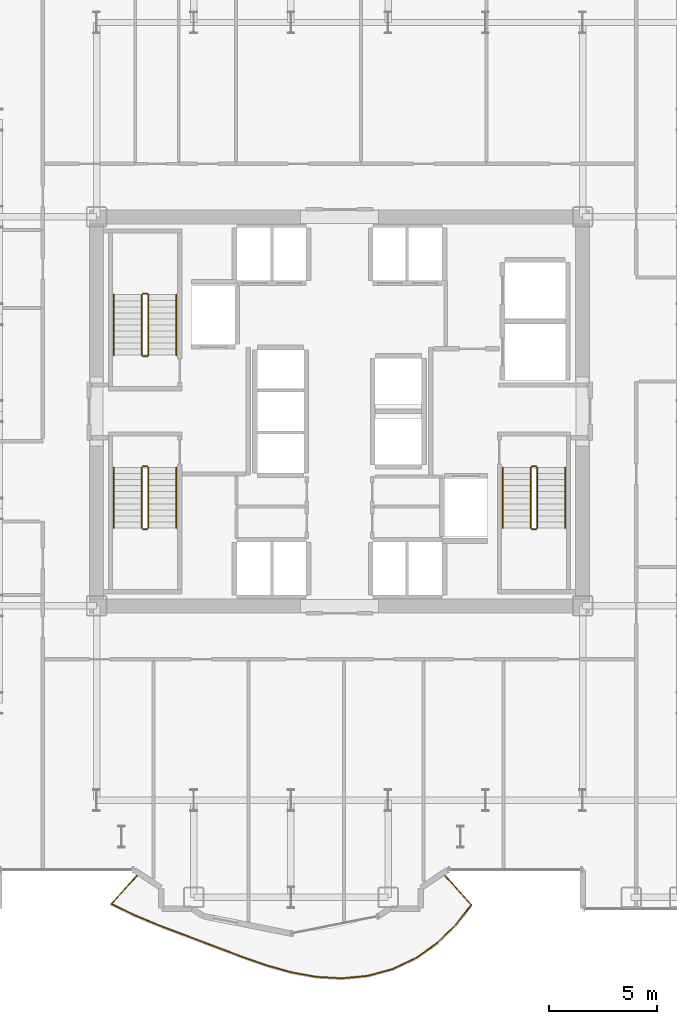
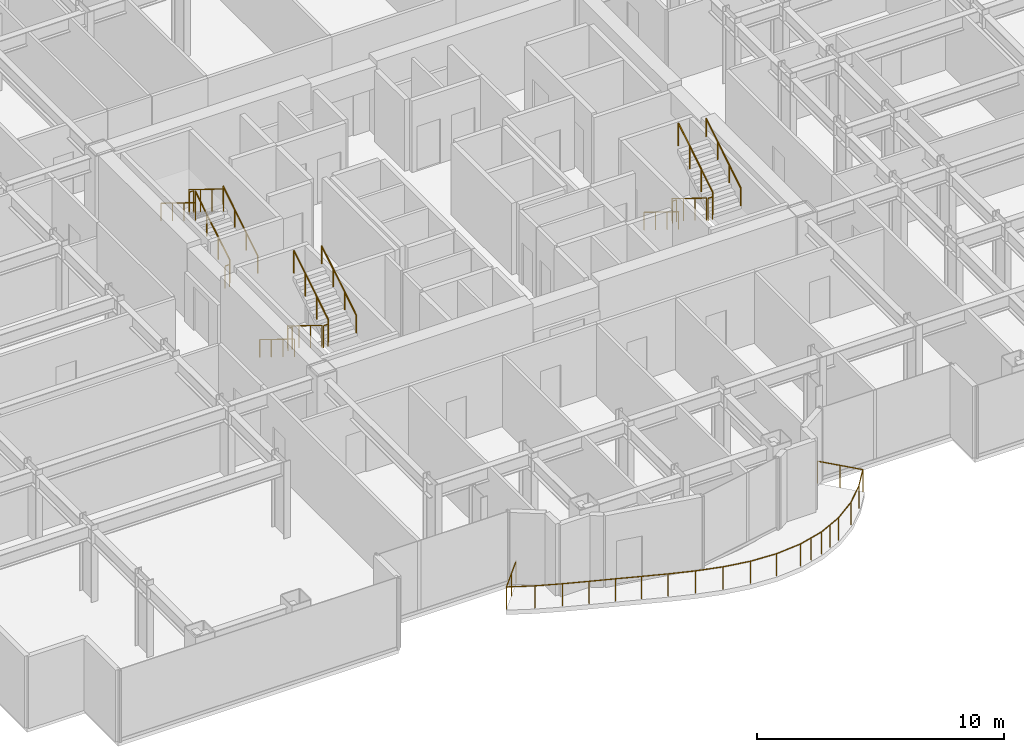
# One storey, part 28 of 29: 19 railings.
"""IFC4 building model written with IfcOpenShell, lengths in metres."""

import ifcopenshell
import ifcopenshell.guid

model = None  # the IFC model being written
_history = None  # IfcOwnerHistory: only IFC2X3 demands one
_inside = {}  # id of a spatial element -> (the spatial element, [elements in it])
_under = {}  # id of a project, library or spatial element -> (it, [spatial elements below it])
_declared = {}  # id of a project -> (the project, [libraries it declares])
_typed = {}  # id of a type object -> (the type object, [elements of that type])
_made_of = {}  # id of a material, layer set ... -> (it, [elements and type objects made of it])


def new_model(schema):
    """Start an empty IFC model of exactly this schema.

    Asked for "IFC4X3", IfcOpenShell would pick the latest addendum, in which some entities
    have other attributes; the version numbers below select the first issue.
    IFC2X3 requires an IfcOwnerHistory on every rooted entity: one is made here for all.
    """
    global model, _history
    if schema == "IFC4X3":
        model = ifcopenshell.file(schema_version=(4, 3, 0, 0))
    else:
        model = ifcopenshell.file(schema=schema)
    _inside.clear()
    _under.clear()
    _declared.clear()
    _typed.clear()
    _made_of.clear()
    _history = None
    if model.schema == "IFC2X3":
        org = make("IfcOrganization", Name="unknown")
        user = make(
            "IfcPersonAndOrganization",
            ThePerson=make("IfcPerson", FamilyName="unknown"),
            TheOrganization=org,
        )
        app = make(
            "IfcApplication",
            ApplicationDeveloper=org,
            Version="unknown",
            ApplicationFullName="unknown",
            ApplicationIdentifier="unknown",
        )
        _history = make(
            "IfcOwnerHistory",
            OwningUser=user,
            OwningApplication=app,
            ChangeAction="ADDED",
            CreationDate=0,
        )
    return model


def make(cls, **values):
    """One entity of the class cls with the attributes given. An attribute that is None is left unset."""
    return model.create_entity(
        cls, **{name: value for name, value in values.items() if value is not None}
    )


def rooted(cls, **values):
    """An entity with a GlobalId (a new one), such as an element, a storey or a relation."""
    return make(cls, GlobalId=ifcopenshell.guid.new(), OwnerHistory=_history, **values)


def si_unit(unit_type, name, prefix=None):
    """IfcSIUnit, for example si_unit("LENGTHUNIT", "METRE", prefix="MILLI")."""
    return make("IfcSIUnit", UnitType=unit_type, Prefix=prefix, Name=name)


def assignment(units):
    """IfcUnitAssignment: the units of a project."""
    return None if units is None else make("IfcUnitAssignment", Units=units)


def point(xyz):
    """IfcCartesianPoint."""
    return None if xyz is None else make("IfcCartesianPoint", Coordinates=xyz)


def direction(xyz):
    """IfcDirection."""
    return None if xyz is None else make("IfcDirection", DirectionRatios=xyz)


def frame(location, z_axis=None, x_axis=None):
    """IfcAxis2Placement3D, a coordinate frame: its origin and axes. An axis left out is left unset."""
    return make(
        "IfcAxis2Placement3D",
        Location=point(location),
        Axis=direction(z_axis),
        RefDirection=direction(x_axis),
    )


def frame_2d(location, x_axis=None):
    """IfcAxis2Placement2D, a coordinate frame in the plane: its origin and x axis."""
    return make(
        "IfcAxis2Placement2D", Location=point(location), RefDirection=direction(x_axis)
    )


def origin():
    """The frame at (0, 0, 0) with its axes left unset."""
    return frame((0.0, 0.0, 0.0))


def origin_2d():
    """The frame at (0, 0) in the plane with its x axis left unset."""
    return frame_2d((0.0, 0.0))


def place(relative_to, where):
    """IfcLocalPlacement: puts the frame where relative to a parent placement (None: the world)."""
    return make(
        "IfcLocalPlacement", PlacementRelTo=relative_to, RelativePlacement=where
    )


def context(
    kind, dimensions, precision=None, world=None, true_north=None, identifier=None
):
    """IfcGeometricRepresentationContext, for example the 3D "Model" context."""
    return make(
        "IfcGeometricRepresentationContext",
        ContextIdentifier=identifier,
        ContextType=kind,
        CoordinateSpaceDimension=dimensions,
        Precision=precision,
        WorldCoordinateSystem=world,
        TrueNorth=true_north,
    )


def subcontext(parent, identifier, kind, view, scale=None):
    """IfcGeometricRepresentationSubContext, for example "Body" below "Model"."""
    return make(
        "IfcGeometricRepresentationSubContext",
        ContextIdentifier=identifier,
        ContextType=kind,
        ParentContext=parent,
        TargetScale=scale,
        TargetView=view,
    )


def project(units=None, contexts=None):
    """IfcProject with its units and contexts."""
    return rooted(
        "IfcProject",
        Name="project",
        RepresentationContexts=contexts,
        UnitsInContext=assignment(units),
    )


def spatial(cls, under=None, at=None, **own):
    """A site, building, storey or space (cls), placed at a placement, below another one or the project."""
    s = rooted(cls, ObjectPlacement=at, **own)
    if under is not None:
        _under.setdefault(under.id(), (under, []))[1].append(s)
    return s


def profile(cls, at=None, kind="AREA", **sizes):
    """A parametric profile (cls). Its sizes go by their IFC names, for example OverallWidth=200.0."""
    return make(cls, ProfileType=kind, Position=at, **sizes)


def circle(**sizes):
    """IfcCircleProfileDef."""
    return profile("IfcCircleProfileDef", **sizes)


def extrude(swept, where, along, depth):
    """IfcExtrudedAreaSolid: the profile swept, set in the frame where, extruded along a direction by depth."""
    return make(
        "IfcExtrudedAreaSolid",
        SweptArea=swept,
        Position=where,
        ExtrudedDirection=direction(along),
        Depth=depth,
    )


def shape(context_of_items, identifier, shape_type, items):
    """IfcShapeRepresentation: the items that make up one representation, for example the "Body"."""
    return make(
        "IfcShapeRepresentation",
        ContextOfItems=context_of_items,
        RepresentationIdentifier=identifier,
        RepresentationType=shape_type,
        Items=items,
    )


def material(Name=None, Category=None):
    """IfcMaterial."""
    return make("IfcMaterial", Name=Name, Category=Category)


def made_of(thing, what):
    """Note that an element or type object is made of a material, layer set ...; save() writes the relation."""
    if what is not None:
        _made_of.setdefault(what.id(), (what, []))[1].append(thing)
    return thing


def type_object(cls, material=None, **own):
    """A type object (cls), such as IfcWallType, which elements share."""
    return made_of(rooted(cls, **own), material)


def element(
    cls,
    number,
    at=None,
    inside=None,
    cuts=None,
    type_object=None,
    material=None,
    context=None,
    identifier="Body",
    shape_type=None,
    held_by="IfcProductDefinitionShape",
    body=None,
    shapes=None,
    **own,
):
    """One element of the class cls, such as IfcWall. Its Tag is "e" and its number.

    at: its placement. inside: the storey or other place that contains it. cuts: it is an
    opening in that element (IfcRelVoidsElement). A single representation is given by context,
    identifier, shape_type and body (its items); several are given by shapes. held_by: the class
    of the entity that holds the representations. save() writes the other relations.
    """
    e = rooted(cls, Tag="e%d" % number, ObjectPlacement=at, **own)
    if body is not None:
        shapes = [shape(context, identifier, shape_type, body)]
    if shapes is not None:
        e.Representation = make(held_by, Representations=shapes)
    if inside is not None:
        _inside.setdefault(inside.id(), (inside, []))[1].append(e)
    if cuts is not None:
        rooted(
            "IfcRelVoidsElement", RelatingBuildingElement=cuts, RelatedOpeningElement=e
        )
    if type_object is not None:
        _typed.setdefault(type_object.id(), (type_object, []))[1].append(e)
    return made_of(e, material)


def aggregate(whole, parts):
    """IfcRelAggregates: a whole, such as a stair, and the parts it consists of."""
    return rooted("IfcRelAggregates", RelatingObject=whole, RelatedObjects=parts)


def save(model, path):
    """Write the relations noted so far, then the file.

    IfcRelAggregates (storeys below a building ...), IfcRelContainedInSpatialStructure (elements
    in a storey), IfcRelDefinesByType, IfcRelAssociatesMaterial and IfcRelDeclares: one each for
    every whole, place, type object, material and project.
    """
    for whole, parts in _under.values():
        aggregate(whole, parts)
    for where, things in _inside.values():
        rooted(
            "IfcRelContainedInSpatialStructure",
            RelatedElements=things,
            RelatingStructure=where,
        )
    for kind, things in _typed.values():
        rooted("IfcRelDefinesByType", RelatedObjects=things, RelatingType=kind)
    for what, things in _made_of.values():
        rooted("IfcRelAssociatesMaterial", RelatedObjects=things, RelatingMaterial=what)
    for by, libraries in _declared.values():
        rooted("IfcRelDeclares", RelatingContext=by, RelatedDefinitions=libraries)
    model.write(path)


model = new_model("IFC4")

# Units and contexts
model_context = context("Model", 3, precision=1e-05, world=origin(), true_north=direction((0.0, 1.0)))
body_context = subcontext(model_context, "Body", "Model", "MODEL_VIEW")
ifc_project = project(units=[si_unit("LENGTHUNIT", "METRE"), si_unit("AREAUNIT", "SQUARE_METRE"), si_unit("VOLUMEUNIT", "CUBIC_METRE"), si_unit("PLANEANGLEUNIT", "RADIAN"), si_unit("MASSUNIT", "GRAM", prefix="KILO")], contexts=[model_context])

# Site, building, storey
site_placement = place(None, origin())
site = spatial("IfcSite", under=ifc_project, at=site_placement, CompositionType="ELEMENT")
building_placement = place(site_placement, origin())
building = spatial("IfcBuilding", under=site, at=building_placement, Name="Nefas-Gora Pilgrimage Tower", CompositionType="ELEMENT")
storey_placement = place(building_placement, frame((0.0, 0.0, 44.39990234375)))
storey = spatial("IfcBuildingStorey", under=building, at=storey_placement, Name="L09", CompositionType="ELEMENT", Elevation=44.39990234375)

# Railings
ifc_material_1 = material(Name="Laminated safety glass and stainless steel", Category="steel")
railing_type_1 = type_object("IfcRailingType", Name="RLG-BAL-1100", PredefinedType="BALUSTRADE", material=ifc_material_1)
railing_1_placement = place(storey_placement, frame((-9.302490234375, -21.402587890625, 0.0)))
element("IfcRailing", 1, at=railing_1_placement, inside=storey, type_object=railing_type_1, Name="L09 Wave Balcony Balustrade S2", PredefinedType="BALUSTRADE", context=body_context, shape_type="SweptSolid", body=[
    extrude(circle(Radius=0.02392578125, at=origin_2d()), frame((0.0, 0.0, 1.09619140625), z_axis=(-0.669129721026, -0.743145622634, 0.0), x_axis=(0.743145622634, -0.669129721026, 0.0)), (0.0, 0.0, 1.0), 1.880126953125),
    extrude(circle(Radius=0.02392578125, at=origin_2d()), frame((-1.258056640625, -1.397216796875, 1.09619140625), z_axis=(0.897530866126, -0.440951634934, 0.0), x_axis=(0.440951634934, 0.897530866126, 0.0)), (0.0, 0.0, 1.0), 1.156005859375),
    extrude(circle(Radius=0.02392578125, at=origin_2d()), frame((-0.220458984375, -1.906982421875, 1.09619140625), z_axis=(0.923243625246, -0.38421505494, 0.0), x_axis=(0.38421505494, 0.923243625246, 0.0)), (0.0, 0.0, 1.0), 1.1259765625),
    extrude(circle(Radius=0.02392578125, at=origin_2d()), frame((0.819091796875, -2.339599609375, 1.09619140625), z_axis=(0.934374803471, -0.356291631447, 0.0), x_axis=(0.356291631447, 0.934374803471, 0.0)), (0.0, 0.0, 1.0), 1.096435546875),
    extrude(circle(Radius=0.02392578125, at=origin_2d()), frame((1.843505859375, -2.730224609375, 1.09619140625), z_axis=(0.936142832811, -0.351619960436, 0.0), x_axis=(0.351619960436, 0.936142832811, 0.0)), (0.0, 0.0, 1.0), 1.07763671875),
    extrude(circle(Radius=0.02392578125, at=origin_2d()), frame((2.852294921875, -3.109130859375, 1.09619140625), z_axis=(0.934584678215, -0.355740747239, 0.0), x_axis=(0.355740747239, 0.934584678215, 0.0)), (0.0, 0.0, 1.0), 1.076904296875),
    extrude(circle(Radius=0.02392578125, at=origin_2d()), frame((3.858642578125, -3.4921875, 1.09619140625), z_axis=(0.935740767911, -0.352688552791, 0.0), x_axis=(0.352688552791, 0.935740767911, 0.0)), (0.0, 0.0, 1.0), 1.09375),
    extrude(circle(Radius=0.02392578125, at=origin_2d()), frame((4.882080078125, -3.8779296875, 1.09619140625), z_axis=(0.944898112614, -0.327364562496, 0.0), x_axis=(0.327364562496, 0.944898112614, 0.0)), (0.0, 0.0, 1.0), 1.122314453125),
    extrude(circle(Radius=0.02392578125, at=origin_2d()), frame((5.942626953125, -4.245361328125, 1.09619140625), z_axis=(0.96246102168, -0.271419936162, 0.0), x_axis=(0.271419936162, 0.96246102168, 0.0)), (0.0, 0.0, 1.0), 1.153076171875),
    extrude(circle(Radius=0.02392578125, at=origin_2d()), frame((7.052490234375, -4.558349609375, 1.09619140625), z_axis=(0.983449300548, -0.181183534713, 0.0), x_axis=(0.181183534713, 0.983449300548, 0.0)), (0.0, 0.0, 1.0), 1.177734375),
    extrude(circle(Radius=0.02392578125, at=origin_2d()), frame((8.210693359375, -4.771728515625, 1.09619140625), z_axis=(0.998344239726, -0.057521987157, 0.0), x_axis=(0.057521987157, 0.998344239726, 0.0)), (0.0, 0.0, 1.0), 1.192626953125),
    extrude(circle(Radius=0.02392578125, at=origin_2d()), frame((9.4013671875, -4.84033203125, 1.09619140625), z_axis=(0.995583812975, 0.093876894617, 0.0), x_axis=(-0.093876894617, 0.995583812975, 0.0)), (0.0, 0.0, 1.0), 1.198974609375),
    extrude(circle(Radius=0.02392578125, at=origin_2d()), frame((10.594970703125, -4.727783203125, 1.09619140625), z_axis=(0.965413215034, 0.260724613793, 0.0), x_axis=(-0.260724613793, 0.965413215034, 0.0)), (0.0, 0.0, 1.0), 1.200439453125),
    extrude(circle(Radius=0.02392578125, at=origin_2d()), frame((11.75390625, -4.414794921875, 1.09619140625), z_axis=(0.904015108166, 0.427500507844, 0.0), x_axis=(-0.427500507844, 0.904015108166, 0.0)), (0.0, 0.0, 1.0), 1.200439453125),
    extrude(circle(Radius=0.02392578125, at=origin_2d()), frame((12.839111328125, -3.901611328125, 1.09619140625), z_axis=(0.816392240184, 0.577497801007, 0.0), x_axis=(-0.577497801007, 0.816392240184, 0.0)), (0.0, 0.0, 1.0), 1.19970703125),
    extrude(circle(Radius=0.02392578125, at=origin_2d()), frame((13.818603515625, -3.208740234375, 1.09619140625), z_axis=(0.715228965311, 0.698890211106, 0.0), x_axis=(-0.698890211106, 0.715228965311, 0.0)), (0.0, 0.0, 1.0), 1.1953125),
    extrude(circle(Radius=0.02392578125, at=origin_2d()), frame((14.673583984375, -2.373291015625, 1.09619140625), z_axis=(0.615495930297, 0.78814006356, 0.0), x_axis=(-0.78814006356, 0.615495930297, 0.0)), (0.0, 0.0, 1.0), 1.18359375),
    extrude(circle(Radius=0.02392578125, at=origin_2d()), frame((15.402099609375, -1.4404296875, 1.09619140625), z_axis=(-0.669173462492, 0.743106235404, 0.0), x_axis=(-0.743106235404, -0.669173462492, 0.0)), (0.0, 0.0, 1.0), 1.9384765625),
    extrude(circle(Radius=0.02099609375, at=origin_2d()), origin(), (0.0, 0.0, 1.0), 1.072021484375),
    extrude(circle(Radius=0.02099609375, at=origin_2d()), frame((-0.62890625, -0.69873046875, 0.0)), (0.0, 0.0, 1.0), 1.072021484375),
    extrude(circle(Radius=0.02099609375, at=origin_2d()), frame((-1.258056640625, -1.397216796875, 0.0)), (0.0, 0.0, 1.0), 1.072021484375),
    extrude(circle(Radius=0.02099609375, at=origin_2d()), frame((-0.220458984375, -1.906982421875, 0.0)), (0.0, 0.0, 1.0), 1.072021484375),
    extrude(circle(Radius=0.02099609375, at=origin_2d()), frame((0.819091796875, -2.339599609375, 0.0)), (0.0, 0.0, 1.0), 1.072021484375),
    extrude(circle(Radius=0.02099609375, at=origin_2d()), frame((1.843505859375, -2.730224609375, 0.0)), (0.0, 0.0, 1.0), 1.072021484375),
    extrude(circle(Radius=0.02099609375, at=origin_2d()), frame((2.852294921875, -3.109130859375, 0.0)), (0.0, 0.0, 1.0), 1.072021484375),
    extrude(circle(Radius=0.02099609375, at=origin_2d()), frame((3.858642578125, -3.4921875, 0.0)), (0.0, 0.0, 1.0), 1.072021484375),
    extrude(circle(Radius=0.02099609375, at=origin_2d()), frame((4.882080078125, -3.8779296875, 0.0)), (0.0, 0.0, 1.0), 1.072021484375),
    extrude(circle(Radius=0.02099609375, at=origin_2d()), frame((5.942626953125, -4.245361328125, 0.0)), (0.0, 0.0, 1.0), 1.072021484375),
    extrude(circle(Radius=0.02099609375, at=origin_2d()), frame((7.052490234375, -4.558349609375, 0.0)), (0.0, 0.0, 1.0), 1.072021484375),
    extrude(circle(Radius=0.02099609375, at=origin_2d()), frame((8.210693359375, -4.771728515625, 0.0)), (0.0, 0.0, 1.0), 1.072021484375),
    extrude(circle(Radius=0.02099609375, at=origin_2d()), frame((9.4013671875, -4.84033203125, 0.0)), (0.0, 0.0, 1.0), 1.072021484375),
    extrude(circle(Radius=0.02099609375, at=origin_2d()), frame((10.594970703125, -4.727783203125, 0.0)), (0.0, 0.0, 1.0), 1.072021484375),
    extrude(circle(Radius=0.02099609375, at=origin_2d()), frame((11.17431640625, -4.5712890625, 0.0)), (0.0, 0.0, 1.0), 1.072021484375),
    extrude(circle(Radius=0.02099609375, at=origin_2d()), frame((11.75390625, -4.414794921875, 0.0)), (0.0, 0.0, 1.0), 1.072021484375),
    extrude(circle(Radius=0.02099609375, at=origin_2d()), frame((12.29638671875, -4.158203125, 0.0)), (0.0, 0.0, 1.0), 1.072021484375),
    extrude(circle(Radius=0.02099609375, at=origin_2d()), frame((12.839111328125, -3.901611328125, 0.0)), (0.0, 0.0, 1.0), 1.072021484375),
    extrude(circle(Radius=0.02099609375, at=origin_2d()), frame((13.818603515625, -3.208740234375, 0.0)), (0.0, 0.0, 1.0), 1.072021484375),
    extrude(circle(Radius=0.02099609375, at=origin_2d()), frame((14.673583984375, -2.373291015625, 0.0)), (0.0, 0.0, 1.0), 1.072021484375),
    extrude(circle(Radius=0.02099609375, at=origin_2d()), frame((15.402099609375, -1.4404296875, 0.0)), (0.0, 0.0, 1.0), 1.072021484375),
    extrude(circle(Radius=0.02099609375, at=origin_2d()), frame((14.75341796875, -0.72021484375, 0.0)), (0.0, 0.0, 1.0), 1.072021484375),
    extrude(circle(Radius=0.02099609375, at=origin_2d()), frame((14.10498046875, 0.0, 0.0)), (0.0, 0.0, 1.0), 1.072021484375),
])
ifc_material_2 = material(Name="Painted galvanised steel", Category="steel")
railing_type_2 = type_object("IfcRailingType", Name="RLG-STR-GUARD-1100", PredefinedType="GUARDRAIL", material=ifc_material_2)
railing_2_placement = place(storey_placement, frame((-8.85009765625, 2.60009765625, 0.1728515625)))
element("IfcRailing", 2, at=railing_2_placement, inside=storey, type_object=railing_type_2, Name="L09 ST-01 stair guard 1", PredefinedType="GUARDRAIL", context=body_context, shape_type="SweptSolid", body=[
    extrude(circle(Radius=0.02392578125, at=origin_2d()), frame((0.0, 0.0, 1.09619140625), z_axis=(0.0, 0.851069175582, 0.525053576669), x_axis=(-1.0, 0.0, 0.0)), (0.0, 0.0, 1.0), 3.289794921875),
    extrude(circle(Radius=0.02099609375, at=origin_2d()), origin(), (0.0, 0.0, 1.0), 1.072021484375),
    extrude(circle(Radius=0.02099609375, at=origin_2d()), frame((0.0, 0.933349609375, 0.57568359375)), (0.0, 0.0, 1.0), 1.072021484375),
    extrude(circle(Radius=0.02099609375, at=origin_2d()), frame((0.0, 1.866455078125, 1.151611328125)), (0.0, 0.0, 1.0), 1.072021484375),
    extrude(circle(Radius=0.02099609375, at=origin_2d()), frame((0.0, 2.7998046875, 1.727294921875)), (0.0, 0.0, 1.0), 1.072021484375),
])
railing_3_placement = place(storey_placement, frame((-8.89990234375, 5.449951171875, 1.900146484375)))
element("IfcRailing", 3, at=railing_3_placement, inside=storey, type_object=railing_type_2, Name="L09 ST-01 stair guard 2", PredefinedType="GUARDRAIL", context=body_context, shape_type="SweptSolid", body=[
    extrude(circle(Radius=0.02392578125, at=origin_2d()), frame((0.0, 0.0, 1.09619140625), z_axis=(-1.0, 0.0, 0.0), x_axis=(0.0, -1.0, 0.0)), (0.0, 0.0, 1.0), 0.2001953125),
    extrude(circle(Radius=0.02099609375, at=origin_2d()), origin(), (0.0, 0.0, 1.0), 1.072021484375),
    extrude(circle(Radius=0.02099609375, at=origin_2d()), frame((-0.2001953125, 0.0, 0.0)), (0.0, 0.0, 1.0), 1.072021484375),
])
railing_4_placement = place(storey_placement, frame((-9.14990234375, 5.39990234375, 2.07275390625)))
element("IfcRailing", 4, at=railing_4_placement, inside=storey, type_object=railing_type_2, Name="L09 ST-01 stair guard 3", PredefinedType="GUARDRAIL", context=body_context, shape_type="SweptSolid", body=[
    extrude(circle(Radius=0.02392578125, at=origin_2d()), frame((0.0, 0.0, 1.09619140625), z_axis=(0.0, -0.851069175582, 0.525053576669), x_axis=(1.0, 0.0, 0.0)), (0.0, 0.0, 1.0), 3.289794921875),
    extrude(circle(Radius=0.02099609375, at=origin_2d()), origin(), (0.0, 0.0, 1.0), 1.072021484375),
    extrude(circle(Radius=0.02099609375, at=origin_2d()), frame((0.0, -0.933349609375, 0.57568359375)), (0.0, 0.0, 1.0), 1.072021484375),
    extrude(circle(Radius=0.02099609375, at=origin_2d()), frame((0.0, -1.866455078125, 1.151611328125)), (0.0, 0.0, 1.0), 1.072021484375),
    extrude(circle(Radius=0.02099609375, at=origin_2d()), frame((0.0, -2.7998046875, 1.727294921875)), (0.0, 0.0, 1.0), 1.072021484375),
])
railing_5_placement = place(storey_placement, frame((-8.89990234375, 2.550048828125, 0.0)))
element("IfcRailing", 5, at=railing_5_placement, inside=storey, type_object=railing_type_2, Name="L09 ST-01 stair guard 4", PredefinedType="GUARDRAIL", context=body_context, shape_type="SweptSolid", body=[
    extrude(circle(Radius=0.02392578125, at=origin_2d()), frame((0.0, 0.0, 1.09619140625), z_axis=(-1.0, 0.0, 0.0), x_axis=(0.0, -1.0, 0.0)), (0.0, 0.0, 1.0), 0.2001953125),
    extrude(circle(Radius=0.02099609375, at=origin_2d()), origin(), (0.0, 0.0, 1.0), 1.072021484375),
    extrude(circle(Radius=0.02099609375, at=origin_2d()), frame((-0.2001953125, 0.0, 0.0)), (0.0, 0.0, 1.0), 1.072021484375),
])
railing_6_placement = place(storey_placement, frame((8.85009765625, -2.60009765625, 0.1728515625)))
element("IfcRailing", 6, at=railing_6_placement, inside=storey, type_object=railing_type_2, Name="L09 ST-02 stair guard 1", PredefinedType="GUARDRAIL", context=body_context, shape_type="SweptSolid", body=[
    extrude(circle(Radius=0.02392578125, at=origin_2d()), frame((0.0, 0.0, 1.09619140625), z_axis=(0.0, -0.851069175582, 0.525053576669), x_axis=(1.0, 0.0, 0.0)), (0.0, 0.0, 1.0), 3.289794921875),
    extrude(circle(Radius=0.02099609375, at=origin_2d()), origin(), (0.0, 0.0, 1.0), 1.072021484375),
    extrude(circle(Radius=0.02099609375, at=origin_2d()), frame((0.0, -0.933349609375, 0.57568359375)), (0.0, 0.0, 1.0), 1.072021484375),
    extrude(circle(Radius=0.02099609375, at=origin_2d()), frame((0.0, -1.866455078125, 1.151611328125)), (0.0, 0.0, 1.0), 1.072021484375),
    extrude(circle(Radius=0.02099609375, at=origin_2d()), frame((0.0, -2.7998046875, 1.727294921875)), (0.0, 0.0, 1.0), 1.072021484375),
])
railing_7_placement = place(storey_placement, frame((8.89990234375, -5.449951171875, 1.900146484375)))
element("IfcRailing", 7, at=railing_7_placement, inside=storey, type_object=railing_type_2, Name="L09 ST-02 stair guard 2", PredefinedType="GUARDRAIL", context=body_context, shape_type="SweptSolid", body=[
    extrude(circle(Radius=0.02392578125, at=origin_2d()), frame((0.0, 0.0, 1.09619140625), z_axis=(1.0, 0.0, 0.0), x_axis=(0.0, 1.0, 0.0)), (0.0, 0.0, 1.0), 0.2001953125),
    extrude(circle(Radius=0.02099609375, at=origin_2d()), origin(), (0.0, 0.0, 1.0), 1.072021484375),
    extrude(circle(Radius=0.02099609375, at=origin_2d()), frame((0.2001953125, 0.0, 0.0)), (0.0, 0.0, 1.0), 1.072021484375),
])
railing_8_placement = place(storey_placement, frame((9.14990234375, -5.39990234375, 2.07275390625)))
element("IfcRailing", 8, at=railing_8_placement, inside=storey, type_object=railing_type_2, Name="L09 ST-02 stair guard 3", PredefinedType="GUARDRAIL", context=body_context, shape_type="SweptSolid", body=[
    extrude(circle(Radius=0.02392578125, at=origin_2d()), frame((0.0, 0.0, 1.09619140625), z_axis=(0.0, 0.851069175582, 0.525053576669), x_axis=(-1.0, 0.0, 0.0)), (0.0, 0.0, 1.0), 3.289794921875),
    extrude(circle(Radius=0.02099609375, at=origin_2d()), origin(), (0.0, 0.0, 1.0), 1.072021484375),
    extrude(circle(Radius=0.02099609375, at=origin_2d()), frame((0.0, 0.933349609375, 0.57568359375)), (0.0, 0.0, 1.0), 1.072021484375),
    extrude(circle(Radius=0.02099609375, at=origin_2d()), frame((0.0, 1.866455078125, 1.151611328125)), (0.0, 0.0, 1.0), 1.072021484375),
    extrude(circle(Radius=0.02099609375, at=origin_2d()), frame((0.0, 2.7998046875, 1.727294921875)), (0.0, 0.0, 1.0), 1.072021484375),
])
railing_9_placement = place(storey_placement, frame((8.89990234375, -2.550048828125, 0.0)))
element("IfcRailing", 9, at=railing_9_placement, inside=storey, type_object=railing_type_2, Name="L09 ST-02 stair guard 4", PredefinedType="GUARDRAIL", context=body_context, shape_type="SweptSolid", body=[
    extrude(circle(Radius=0.02392578125, at=origin_2d()), frame((0.0, 0.0, 1.09619140625), z_axis=(1.0, 0.0, 0.0), x_axis=(0.0, 1.0, 0.0)), (0.0, 0.0, 1.0), 0.2001953125),
    extrude(circle(Radius=0.02099609375, at=origin_2d()), origin(), (0.0, 0.0, 1.0), 1.072021484375),
    extrude(circle(Radius=0.02099609375, at=origin_2d()), frame((0.2001953125, 0.0, 0.0)), (0.0, 0.0, 1.0), 1.072021484375),
])
railing_10_placement = place(storey_placement, frame((-9.14990234375, -2.60009765625, 0.1728515625)))
element("IfcRailing", 10, at=railing_10_placement, inside=storey, type_object=railing_type_2, Name="L09 ST-03 stair guard 1", PredefinedType="GUARDRAIL", context=body_context, shape_type="SweptSolid", body=[
    extrude(circle(Radius=0.02392578125, at=origin_2d()), frame((0.0, 0.0, 1.09619140625), z_axis=(0.0, -0.851069175582, 0.525053576669), x_axis=(1.0, 0.0, 0.0)), (0.0, 0.0, 1.0), 3.289794921875),
    extrude(circle(Radius=0.02099609375, at=origin_2d()), origin(), (0.0, 0.0, 1.0), 1.072021484375),
    extrude(circle(Radius=0.02099609375, at=origin_2d()), frame((0.0, -0.933349609375, 0.57568359375)), (0.0, 0.0, 1.0), 1.072021484375),
    extrude(circle(Radius=0.02099609375, at=origin_2d()), frame((0.0, -1.866455078125, 1.151611328125)), (0.0, 0.0, 1.0), 1.072021484375),
    extrude(circle(Radius=0.02099609375, at=origin_2d()), frame((0.0, -2.7998046875, 1.727294921875)), (0.0, 0.0, 1.0), 1.072021484375),
])
railing_11_placement = place(storey_placement, frame((-9.10009765625, -5.449951171875, 1.900146484375)))
element("IfcRailing", 11, at=railing_11_placement, inside=storey, type_object=railing_type_2, Name="L09 ST-03 stair guard 2", PredefinedType="GUARDRAIL", context=body_context, shape_type="SweptSolid", body=[
    extrude(circle(Radius=0.02392578125, at=origin_2d()), frame((0.0, 0.0, 1.09619140625), z_axis=(1.0, 0.0, 0.0), x_axis=(0.0, 1.0, 0.0)), (0.0, 0.0, 1.0), 0.2001953125),
    extrude(circle(Radius=0.02099609375, at=origin_2d()), origin(), (0.0, 0.0, 1.0), 1.072021484375),
    extrude(circle(Radius=0.02099609375, at=origin_2d()), frame((0.2001953125, 0.0, 0.0)), (0.0, 0.0, 1.0), 1.072021484375),
])
railing_12_placement = place(storey_placement, frame((-8.85009765625, -5.39990234375, 2.07275390625)))
element("IfcRailing", 12, at=railing_12_placement, inside=storey, type_object=railing_type_2, Name="L09 ST-03 stair guard 3", PredefinedType="GUARDRAIL", context=body_context, shape_type="SweptSolid", body=[
    extrude(circle(Radius=0.02392578125, at=origin_2d()), frame((0.0, 0.0, 1.09619140625), z_axis=(0.0, 0.851069175582, 0.525053576669), x_axis=(-1.0, 0.0, 0.0)), (0.0, 0.0, 1.0), 3.289794921875),
    extrude(circle(Radius=0.02099609375, at=origin_2d()), origin(), (0.0, 0.0, 1.0), 1.072021484375),
    extrude(circle(Radius=0.02099609375, at=origin_2d()), frame((0.0, 0.933349609375, 0.57568359375)), (0.0, 0.0, 1.0), 1.072021484375),
    extrude(circle(Radius=0.02099609375, at=origin_2d()), frame((0.0, 1.866455078125, 1.151611328125)), (0.0, 0.0, 1.0), 1.072021484375),
    extrude(circle(Radius=0.02099609375, at=origin_2d()), frame((0.0, 2.7998046875, 1.727294921875)), (0.0, 0.0, 1.0), 1.072021484375),
])
railing_13_placement = place(storey_placement, frame((-9.10009765625, -2.550048828125, 0.0)))
element("IfcRailing", 13, at=railing_13_placement, inside=storey, type_object=railing_type_2, Name="L09 ST-03 stair guard 4", PredefinedType="GUARDRAIL", context=body_context, shape_type="SweptSolid", body=[
    extrude(circle(Radius=0.02392578125, at=origin_2d()), frame((0.0, 0.0, 1.09619140625), z_axis=(1.0, 0.0, 0.0), x_axis=(0.0, 1.0, 0.0)), (0.0, 0.0, 1.0), 0.2001953125),
    extrude(circle(Radius=0.02099609375, at=origin_2d()), origin(), (0.0, 0.0, 1.0), 1.072021484375),
    extrude(circle(Radius=0.02099609375, at=origin_2d()), frame((0.2001953125, 0.0, 0.0)), (0.0, 0.0, 1.0), 1.072021484375),
])
ifc_material_3 = material(Name="Brushed stainless steel", Category="steel")
railing_type_3 = type_object("IfcRailingType", Name="RLG-STR-HAND-900", PredefinedType="HANDRAIL", material=ifc_material_3)
railing_14_placement = place(storey_placement, frame((-7.550048828125, 2.60009765625, 0.1728515625)))
element("IfcRailing", 14, at=railing_14_placement, inside=storey, type_object=railing_type_3, Name="L09 ST-01 stair handrail 1", PredefinedType="HANDRAIL", context=body_context, shape_type="SweptSolid", body=[
    extrude(circle(Radius=0.02392578125, at=origin_2d()), frame((0.0, 0.0, 0.8759765625), z_axis=(0.0, 0.851069175582, 0.525053576669), x_axis=(-1.0, 0.0, 0.0)), (0.0, 0.0, 1.0), 3.289794921875),
    extrude(circle(Radius=0.02099609375, at=origin_2d()), origin(), (0.0, 0.0, 1.0), 0.851806640625),
    extrude(circle(Radius=0.02099609375, at=origin_2d()), frame((0.0, 0.933349609375, 0.57568359375)), (0.0, 0.0, 1.0), 0.851806640625),
    extrude(circle(Radius=0.02099609375, at=origin_2d()), frame((0.0, 1.866455078125, 1.151611328125)), (0.0, 0.0, 1.0), 0.851806640625),
    extrude(circle(Radius=0.02099609375, at=origin_2d()), frame((0.0, 2.7998046875, 1.727294921875)), (0.0, 0.0, 1.0), 0.851806640625),
])
for number, where, name in (
    (15, (-10.449951171875, 5.39990234375, 2.07275390625), "L09 ST-01 stair handrail 2"),
    (16, (7.550048828125, -2.60009765625, 0.1728515625), "L09 ST-02 stair handrail 1"),
):
    element("IfcRailing", number, at=place(storey_placement, frame(where)), inside=storey, type_object=railing_type_3, Name=name, PredefinedType="HANDRAIL", context=body_context, shape_type="SweptSolid", body=[
        extrude(circle(Radius=0.02392578125, at=origin_2d()), frame((0.0, 0.0, 0.8759765625), z_axis=(0.0, -0.851069175582, 0.525053576669), x_axis=(1.0, 0.0, 0.0)), (0.0, 0.0, 1.0), 3.289794921875),
        extrude(circle(Radius=0.02099609375, at=origin_2d()), origin(), (0.0, 0.0, 1.0), 0.851806640625),
        extrude(circle(Radius=0.02099609375, at=origin_2d()), frame((0.0, -0.933349609375, 0.57568359375)), (0.0, 0.0, 1.0), 0.851806640625),
        extrude(circle(Radius=0.02099609375, at=origin_2d()), frame((0.0, -1.866455078125, 1.151611328125)), (0.0, 0.0, 1.0), 0.851806640625),
        extrude(circle(Radius=0.02099609375, at=origin_2d()), frame((0.0, -2.7998046875, 1.727294921875)), (0.0, 0.0, 1.0), 0.851806640625),
    ])
railing_15_placement = place(storey_placement, frame((10.449951171875, -5.39990234375, 2.07275390625)))
element("IfcRailing", 17, at=railing_15_placement, inside=storey, type_object=railing_type_3, Name="L09 ST-02 stair handrail 2", PredefinedType="HANDRAIL", context=body_context, shape_type="SweptSolid", body=[
    extrude(circle(Radius=0.02392578125, at=origin_2d()), frame((0.0, 0.0, 0.8759765625), z_axis=(0.0, 0.851069175582, 0.525053576669), x_axis=(-1.0, 0.0, 0.0)), (0.0, 0.0, 1.0), 3.289794921875),
    extrude(circle(Radius=0.02099609375, at=origin_2d()), origin(), (0.0, 0.0, 1.0), 0.851806640625),
    extrude(circle(Radius=0.02099609375, at=origin_2d()), frame((0.0, 0.933349609375, 0.57568359375)), (0.0, 0.0, 1.0), 0.851806640625),
    extrude(circle(Radius=0.02099609375, at=origin_2d()), frame((0.0, 1.866455078125, 1.151611328125)), (0.0, 0.0, 1.0), 0.851806640625),
    extrude(circle(Radius=0.02099609375, at=origin_2d()), frame((0.0, 2.7998046875, 1.727294921875)), (0.0, 0.0, 1.0), 0.851806640625),
])
railing_16_placement = place(storey_placement, frame((-10.449951171875, -2.60009765625, 0.1728515625)))
element("IfcRailing", 18, at=railing_16_placement, inside=storey, type_object=railing_type_3, Name="L09 ST-03 stair handrail 1", PredefinedType="HANDRAIL", context=body_context, shape_type="SweptSolid", body=[
    extrude(circle(Radius=0.02392578125, at=origin_2d()), frame((0.0, 0.0, 0.8759765625), z_axis=(0.0, -0.851069175582, 0.525053576669), x_axis=(1.0, 0.0, 0.0)), (0.0, 0.0, 1.0), 3.289794921875),
    extrude(circle(Radius=0.02099609375, at=origin_2d()), origin(), (0.0, 0.0, 1.0), 0.851806640625),
    extrude(circle(Radius=0.02099609375, at=origin_2d()), frame((0.0, -0.933349609375, 0.57568359375)), (0.0, 0.0, 1.0), 0.851806640625),
    extrude(circle(Radius=0.02099609375, at=origin_2d()), frame((0.0, -1.866455078125, 1.151611328125)), (0.0, 0.0, 1.0), 0.851806640625),
    extrude(circle(Radius=0.02099609375, at=origin_2d()), frame((0.0, -2.7998046875, 1.727294921875)), (0.0, 0.0, 1.0), 0.851806640625),
])
railing_17_placement = place(storey_placement, frame((-7.550048828125, -5.39990234375, 2.07275390625)))
element("IfcRailing", 19, at=railing_17_placement, inside=storey, type_object=railing_type_3, Name="L09 ST-03 stair handrail 2", PredefinedType="HANDRAIL", context=body_context, shape_type="SweptSolid", body=[
    extrude(circle(Radius=0.02392578125, at=origin_2d()), frame((0.0, 0.0, 0.8759765625), z_axis=(0.0, 0.851069175582, 0.525053576669), x_axis=(-1.0, 0.0, 0.0)), (0.0, 0.0, 1.0), 3.289794921875),
    extrude(circle(Radius=0.02099609375, at=origin_2d()), origin(), (0.0, 0.0, 1.0), 0.851806640625),
    extrude(circle(Radius=0.02099609375, at=origin_2d()), frame((0.0, 0.933349609375, 0.57568359375)), (0.0, 0.0, 1.0), 0.851806640625),
    extrude(circle(Radius=0.02099609375, at=origin_2d()), frame((0.0, 1.866455078125, 1.151611328125)), (0.0, 0.0, 1.0), 0.851806640625),
    extrude(circle(Radius=0.02099609375, at=origin_2d()), frame((0.0, 2.7998046875, 1.727294921875)), (0.0, 0.0, 1.0), 0.851806640625),
])

save(model, "model.ifc")
